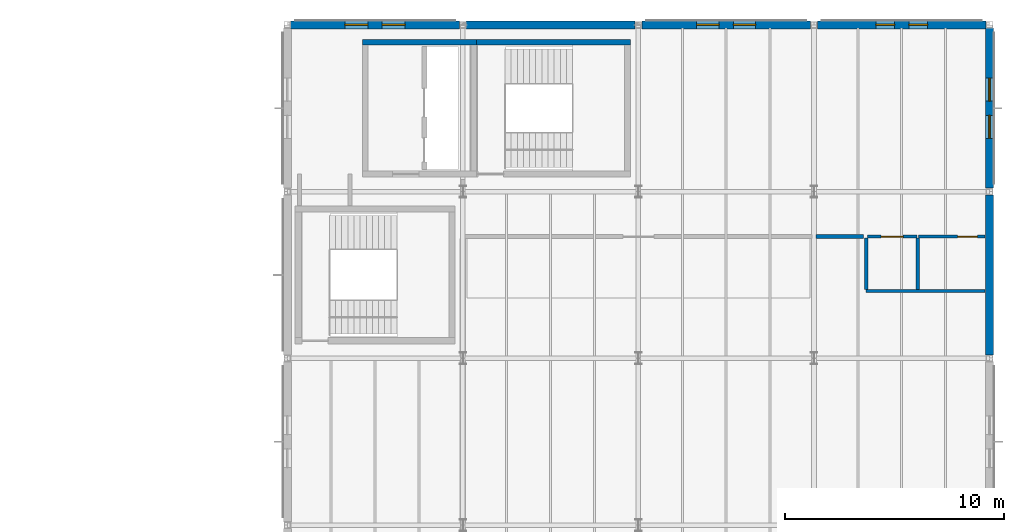
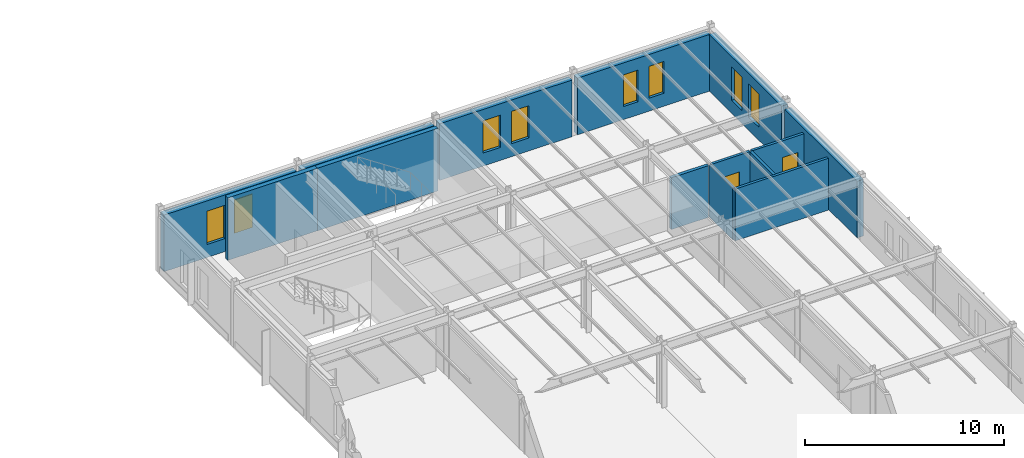
# One storey, part 144 of 165: 14 walls, 8 windows, 2 doors, 10 openings.
"""IFC4 building model written with IfcOpenShell, lengths in metres."""

from ifc_helpers import new_model, si_unit, direction, frame, frame_2d, origin, place, context, subcontext, project, spatial, rectangle, extrude, material, layer, layer_set, type_object, element, fill, save


model = new_model("IFC4")

# Units and contexts
model_context = context("Model", 3, precision=1e-05, world=origin(), true_north=direction((0.0, 1.0)))
body_context = subcontext(model_context, "Body", "Model", "MODEL_VIEW")
ifc_project = project(units=[si_unit("LENGTHUNIT", "METRE"), si_unit("AREAUNIT", "SQUARE_METRE"), si_unit("VOLUMEUNIT", "CUBIC_METRE"), si_unit("PLANEANGLEUNIT", "RADIAN"), si_unit("MASSUNIT", "GRAM", prefix="KILO")], contexts=[model_context])

# Site, building, storey
site_placement = place(None, origin())
site = spatial("IfcSite", under=ifc_project, at=site_placement, CompositionType="ELEMENT")
building_placement = place(site_placement, origin())
building = spatial("IfcBuilding", under=site, at=building_placement, Name="Montecoro Central Library", CompositionType="ELEMENT")
storey_placement = place(building_placement, frame((0.0, 0.0, 5.10009765625)))
storey = spatial("IfcBuildingStorey", under=building, at=storey_placement, Name="L01", CompositionType="ELEMENT", Elevation=5.10009765625)

# Wall
ifc_material_1 = material(Name="Roman travertine stone clad concrete C35/45", Category="masonry")
ifc_layer_1 = layer(ifc_material_1, 0.364990234375)
ifc_layer_set_1 = layer_set([ifc_layer_1], Name="Roman travertine stone clad concrete C35/45")
wall_type_1 = type_object("IfcWallType", Name="EW-STK-365", PredefinedType="SOLIDWALL", material=ifc_layer_set_1)
wall_1_placement = place(storey_placement, frame((173.0, 103.952880859375, 0.0), z_axis=(0.0, 0.0, 1.0), x_axis=(0.0, 1.0, 0.0)))
element("IfcWall", 1, at=wall_1_placement, inside=storey, type_object=wall_type_1, Name="V5-L01-EW-E4", PredefinedType="SOLIDWALL", context=body_context, shape_type="SweptSolid", body=[
    extrude(rectangle(XDim=7.294189453125, YDim=0.364990234375, at=frame_2d((3.64697265625, 0.0))), origin(), (0.0, 0.0, 1.0), 3.47998046875),
])

# Wall, openings, windows
wall_2_placement = place(storey_placement, frame((173.0, 111.552978515625, 0.0), z_axis=(0.0, 0.0, 1.0), x_axis=(0.0, 1.0, 0.0)))
wall_2 = element("IfcWall", 2, at=wall_2_placement, inside=storey, type_object=wall_type_1, Name="V5-L01-EW-E5", PredefinedType="SOLIDWALL", context=body_context, shape_type="SweptSolid", body=[
    extrude(rectangle(XDim=7.2939453125, YDim=0.364990234375, at=frame_2d((3.64697265625, 0.0))), origin(), (0.0, 0.0, 1.0), 3.47998046875),
])
opening_1_placement = place(wall_2_placement, frame((2.27197265625, 0.0, 0.800048828125)))
opening_1 = element("IfcOpeningElement", 3, at=opening_1_placement, cuts=wall_2, Name="Opening WN-03", PredefinedType="OPENING", context=body_context, shape_type="SweptSolid", body=[
    extrude(rectangle(XDim=1.050048828125, YDim=2.050048828125, at=frame_2d((0.52490234375, 1.02490234375))), frame((0.0, 0.1923828125, 0.0), z_axis=(0.0, -1.0, 0.0), x_axis=(1.0, 0.0, 0.0)), (0.0, 0.0, 1.0), 0.385009765625),
])
opening_2_placement = place(wall_2_placement, frame((3.971923828125, 0.0, 0.800048828125)))
opening_2 = element("IfcOpeningElement", 4, at=opening_2_placement, cuts=wall_2, Name="Opening WN-03", PredefinedType="OPENING", context=body_context, shape_type="SweptSolid", body=[
    extrude(rectangle(XDim=1.050048828125, YDim=2.050048828125, at=frame_2d((0.52490234375, 1.02490234375))), frame((0.0, 0.1923828125, 0.0), z_axis=(0.0, -1.0, 0.0), x_axis=(1.0, 0.0, 0.0)), (0.0, 0.0, 1.0), 0.385009765625),
])
ifc_material_2 = material(Name="UV-filtered triple glazing", Category="glass")
window_type_1 = type_object("IfcWindowType", Name="WN-STK-105", PartitioningType="SINGLE_PANEL", PredefinedType="WINDOW", material=ifc_material_2)
window_1_placement = place(opening_1_placement, origin())
window_1 = element("IfcWindow", 5, at=window_1_placement, inside=storey, type_object=window_type_1, Name="V5-L01-WN-E5-1", OverallHeight=2.050048828125, OverallWidth=1.050048828125, PartitioningType="SINGLE_PANEL", PredefinedType="WINDOW", context=body_context, shape_type="SweptSolid", body=[
    extrude(rectangle(XDim=1.050048828125, YDim=2.050048828125, at=frame_2d((0.52490234375, 1.02490234375))), frame((0.0, 0.030029296875, 0.0), z_axis=(0.0, -1.0, 0.0), x_axis=(1.0, 0.0, 0.0)), (0.0, 0.0, 1.0), 0.06005859375),
])
fill(opening_1, window_1)
window_2_placement = place(opening_2_placement, origin())
window_2 = element("IfcWindow", 6, at=window_2_placement, inside=storey, type_object=window_type_1, Name="V5-L01-WN-E5-2", OverallHeight=2.050048828125, OverallWidth=1.050048828125, PartitioningType="SINGLE_PANEL", PredefinedType="WINDOW", context=body_context, shape_type="SweptSolid", body=[
    extrude(rectangle(XDim=1.050048828125, YDim=2.050048828125, at=frame_2d((0.52490234375, 1.02490234375))), frame((0.0, 0.030029296875, 0.0), z_axis=(0.0, -1.0, 0.0), x_axis=(1.0, 0.0, 0.0)), (0.0, 0.0, 1.0), 0.06005859375),
])
fill(opening_2, window_2)

wall_3_placement = place(storey_placement, frame((172.846923828125, 119.0, 0.0), z_axis=(0.0, 0.0, 1.0), x_axis=(-1.0, 0.0, 0.0)))
wall_3 = element("IfcWall", 7, at=wall_3_placement, inside=storey, type_object=wall_type_1, Name="V5-L01-EW-N3", PredefinedType="SOLIDWALL", context=body_context, shape_type="SweptSolid", body=[
    extrude(rectangle(XDim=7.69384765625, YDim=0.364990234375, at=frame_2d((3.846923828125, 0.0))), origin(), (0.0, 0.0, 1.0), 3.47998046875),
])
opening_3_placement = place(wall_3_placement, frame((2.672119140625, 0.0, 0.800048828125)))
opening_3 = element("IfcOpeningElement", 8, at=opening_3_placement, cuts=wall_3, Name="Opening WN-01", PredefinedType="OPENING", context=body_context, shape_type="SweptSolid", body=[
    extrude(rectangle(XDim=0.85009765625, YDim=1.949951171875, at=frame_2d((0.425048828125, 0.97509765625))), frame((0.0, 0.1923828125, 0.0), z_axis=(0.0, -1.0, 0.0), x_axis=(1.0, 0.0, 0.0)), (0.0, 0.0, 1.0), 0.385009765625),
])
opening_4_placement = place(wall_3_placement, frame((4.172119140625, 0.0, 0.800048828125)))
opening_4 = element("IfcOpeningElement", 9, at=opening_4_placement, cuts=wall_3, Name="Opening WN-01", PredefinedType="OPENING", context=body_context, shape_type="SweptSolid", body=[
    extrude(rectangle(XDim=0.85009765625, YDim=1.949951171875, at=frame_2d((0.425048828125, 0.97509765625))), frame((0.0, 0.1923828125, 0.0), z_axis=(0.0, -1.0, 0.0), x_axis=(1.0, 0.0, 0.0)), (0.0, 0.0, 1.0), 0.385009765625),
])
window_type_2 = type_object("IfcWindowType", Name="WN-STK-085", PartitioningType="SINGLE_PANEL", PredefinedType="WINDOW", material=ifc_material_2)
window_3_placement = place(opening_3_placement, origin())
window_3 = element("IfcWindow", 10, at=window_3_placement, inside=storey, type_object=window_type_2, Name="V5-L01-WN-N3-1", OverallHeight=1.949951171875, OverallWidth=0.85009765625, PartitioningType="SINGLE_PANEL", PredefinedType="WINDOW", context=body_context, shape_type="SweptSolid", body=[
    extrude(rectangle(XDim=0.85009765625, YDim=1.949951171875, at=frame_2d((0.425048828125, 0.97509765625))), frame((0.0, 0.030029296875, 0.0), z_axis=(0.0, -1.0, 0.0), x_axis=(1.0, 0.0, 0.0)), (0.0, 0.0, 1.0), 0.06005859375),
])
fill(opening_3, window_3)
window_4_placement = place(opening_4_placement, origin())
window_4 = element("IfcWindow", 11, at=window_4_placement, inside=storey, type_object=window_type_2, Name="V5-L01-WN-N3-2", OverallHeight=1.949951171875, OverallWidth=0.85009765625, PartitioningType="SINGLE_PANEL", PredefinedType="WINDOW", context=body_context, shape_type="SweptSolid", body=[
    extrude(rectangle(XDim=0.85009765625, YDim=1.949951171875, at=frame_2d((0.425048828125, 0.97509765625))), frame((0.0, 0.030029296875, 0.0), z_axis=(0.0, -1.0, 0.0), x_axis=(1.0, 0.0, 0.0)), (0.0, 0.0, 1.0), 0.06005859375),
])
fill(opening_4, window_4)

wall_4_placement = place(storey_placement, frame((164.846923828125, 119.0, 0.0), z_axis=(0.0, 0.0, 1.0), x_axis=(-1.0, 0.0, 0.0)))
wall_4 = element("IfcWall", 12, at=wall_4_placement, inside=storey, type_object=wall_type_1, Name="V5-L01-EW-N2", PredefinedType="SOLIDWALL", context=body_context, shape_type="SweptSolid", body=[
    extrude(rectangle(XDim=7.69384765625, YDim=0.364990234375, at=frame_2d((3.846923828125, 0.0))), origin(), (0.0, 0.0, 1.0), 3.47998046875),
])
opening_5_placement = place(wall_4_placement, frame((2.501953125, 0.0, 0.800048828125)))
opening_5 = element("IfcOpeningElement", 13, at=opening_5_placement, cuts=wall_4, Name="Opening WN-30", PredefinedType="OPENING", context=body_context, shape_type="SweptSolid", body=[
    extrude(rectangle(XDim=1.02001953125, YDim=1.97998046875, at=frame_2d((0.510009765625, 0.989990234375))), frame((0.0, 0.1923828125, 0.0), z_axis=(0.0, -1.0, 0.0), x_axis=(1.0, 0.0, 0.0)), (0.0, 0.0, 1.0), 0.385009765625),
])
opening_6_placement = place(wall_4_placement, frame((4.172119140625, 0.0, 0.800048828125)))
opening_6 = element("IfcOpeningElement", 14, at=opening_6_placement, cuts=wall_4, Name="Opening WN-30", PredefinedType="OPENING", context=body_context, shape_type="SweptSolid", body=[
    extrude(rectangle(XDim=1.02001953125, YDim=1.97998046875, at=frame_2d((0.510009765625, 0.989990234375))), frame((0.0, 0.1923828125, 0.0), z_axis=(0.0, -1.0, 0.0), x_axis=(1.0, 0.0, 0.0)), (0.0, 0.0, 1.0), 0.385009765625),
])
window_type_3 = type_object("IfcWindowType", Name="WN-STK-102", PartitioningType="SINGLE_PANEL", PredefinedType="WINDOW", material=ifc_material_2)
window_5_placement = place(opening_5_placement, origin())
window_5 = element("IfcWindow", 15, at=window_5_placement, inside=storey, type_object=window_type_3, Name="V5-L01-WN-N2-1", OverallHeight=1.97998046875, OverallWidth=1.02001953125, PartitioningType="SINGLE_PANEL", PredefinedType="WINDOW", context=body_context, shape_type="SweptSolid", body=[
    extrude(rectangle(XDim=1.02001953125, YDim=1.97998046875, at=frame_2d((0.510009765625, 0.989990234375))), frame((0.0, 0.030029296875, 0.0), z_axis=(0.0, -1.0, 0.0), x_axis=(1.0, 0.0, 0.0)), (0.0, 0.0, 1.0), 0.06005859375),
])
fill(opening_5, window_5)
window_6_placement = place(opening_6_placement, origin())
window_6 = element("IfcWindow", 16, at=window_6_placement, inside=storey, type_object=window_type_3, Name="V5-L01-WN-N2-2", OverallHeight=1.97998046875, OverallWidth=1.02001953125, PartitioningType="SINGLE_PANEL", PredefinedType="WINDOW", context=body_context, shape_type="SweptSolid", body=[
    extrude(rectangle(XDim=1.02001953125, YDim=1.97998046875, at=frame_2d((0.510009765625, 0.989990234375))), frame((0.0, 0.030029296875, 0.0), z_axis=(0.0, -1.0, 0.0), x_axis=(1.0, 0.0, 0.0)), (0.0, 0.0, 1.0), 0.06005859375),
])
fill(opening_6, window_6)

# Wall
wall_5_placement = place(storey_placement, frame((156.846923828125, 119.0, 0.0), z_axis=(0.0, 0.0, 1.0), x_axis=(-1.0, 0.0, 0.0)))
element("IfcWall", 17, at=wall_5_placement, inside=storey, type_object=wall_type_1, Name="V5-L01-EW-N1", PredefinedType="SOLIDWALL", context=body_context, shape_type="SweptSolid", body=[
    extrude(rectangle(XDim=7.69384765625, YDim=0.364990234375, at=frame_2d((3.846923828125, 0.0))), origin(), (0.0, 0.0, 1.0), 3.47998046875),
])

# Wall, openings, windows
wall_6_placement = place(storey_placement, frame((148.846923828125, 119.0, 0.0), z_axis=(0.0, 0.0, 1.0), x_axis=(-1.0, 0.0, 0.0)))
wall_6 = element("IfcWall", 18, at=wall_6_placement, inside=storey, type_object=wall_type_1, Name="V5-L01-EW-N0", PredefinedType="SOLIDWALL", context=body_context, shape_type="SweptSolid", body=[
    extrude(rectangle(XDim=7.69384765625, YDim=0.364990234375, at=frame_2d((3.846923828125, 0.0))), origin(), (0.0, 0.0, 1.0), 3.47998046875),
])
opening_7_placement = place(wall_6_placement, frame((2.471923828125, 0.0, 0.800048828125)))
opening_7 = element("IfcOpeningElement", 19, at=opening_7_placement, cuts=wall_6, Name="Opening WN-03", PredefinedType="OPENING", context=body_context, shape_type="SweptSolid", body=[
    extrude(rectangle(XDim=1.050048828125, YDim=2.050048828125, at=frame_2d((0.52490234375, 1.02490234375))), frame((0.0, 0.1923828125, 0.0), z_axis=(0.0, -1.0, 0.0), x_axis=(1.0, 0.0, 0.0)), (0.0, 0.0, 1.0), 0.385009765625),
])
opening_8_placement = place(wall_6_placement, frame((4.172119140625, 0.0, 0.800048828125)))
opening_8 = element("IfcOpeningElement", 20, at=opening_8_placement, cuts=wall_6, Name="Opening WN-03", PredefinedType="OPENING", context=body_context, shape_type="SweptSolid", body=[
    extrude(rectangle(XDim=1.050048828125, YDim=2.050048828125, at=frame_2d((0.52490234375, 1.02490234375))), frame((0.0, 0.1923828125, 0.0), z_axis=(0.0, -1.0, 0.0), x_axis=(1.0, 0.0, 0.0)), (0.0, 0.0, 1.0), 0.385009765625),
])
window_7_placement = place(opening_7_placement, origin())
window_7 = element("IfcWindow", 21, at=window_7_placement, inside=storey, type_object=window_type_1, Name="V5-L01-WN-N0-1", OverallHeight=2.050048828125, OverallWidth=1.050048828125, PartitioningType="SINGLE_PANEL", PredefinedType="WINDOW", context=body_context, shape_type="SweptSolid", body=[
    extrude(rectangle(XDim=1.050048828125, YDim=2.050048828125, at=frame_2d((0.52490234375, 1.02490234375))), frame((0.0, 0.030029296875, 0.0), z_axis=(0.0, -1.0, 0.0), x_axis=(1.0, 0.0, 0.0)), (0.0, 0.0, 1.0), 0.06005859375),
])
fill(opening_7, window_7)
window_8_placement = place(opening_8_placement, origin())
window_8 = element("IfcWindow", 22, at=window_8_placement, inside=storey, type_object=window_type_1, Name="V5-L01-WN-N0-2", OverallHeight=2.050048828125, OverallWidth=1.050048828125, PartitioningType="SINGLE_PANEL", PredefinedType="WINDOW", context=body_context, shape_type="SweptSolid", body=[
    extrude(rectangle(XDim=1.050048828125, YDim=2.050048828125, at=frame_2d((0.52490234375, 1.02490234375))), frame((0.0, 0.030029296875, 0.0), z_axis=(0.0, -1.0, 0.0), x_axis=(1.0, 0.0, 0.0)), (0.0, 0.0, 1.0), 0.06005859375),
])
fill(opening_8, window_8)

# Walls
ifc_material_3 = material(Name="Gypsum fire-rated partition")
ifc_layer_2 = layer(ifc_material_3, 0.179931640625)
ifc_layer_set_2 = layer_set([ifc_layer_2], Name="Gypsum fire-rated partition")
wall_type_2 = type_object("IfcWallType", Name="IW-COR-180", PredefinedType="PARTITIONING", material=ifc_layer_set_2)
wall_7_placement = place(storey_placement, frame((165.090087890625, 109.35009765625, 0.0), z_axis=(0.0, 0.0, 1.0), x_axis=(1.0, 0.0, 0.0)))
element("IfcWall", 23, at=wall_7_placement, inside=storey, type_object=wall_type_2, Name="CORW-V5-L01-04", PredefinedType="PARTITIONING", context=body_context, shape_type="SweptSolid", body=[
    extrude(rectangle(XDim=2.169921875, YDim=0.179931640625, at=frame_2d((1.0849609375, 0.0))), origin(), (0.0, 0.0, 1.0), 3.179931640625),
])
ifc_material_4 = material(Name="Concrete C35/45", Category="concrete")
ifc_layer_3 = layer(ifc_material_4, 0.260009765625)
ifc_layer_set_3 = layer_set([ifc_layer_3], Name="Concrete C35/45")
wall_type_3 = type_object("IfcWallType", Name="IW-SHR-260", PredefinedType="SHEAR", material=ifc_layer_set_3)
wall_8_placement = place(storey_placement, frame((149.6298828125, 118.199951171875, 0.0), z_axis=(0.0, 0.0, 1.0), x_axis=(-1.0, 0.0, 0.0)))
element("IfcWall", 24, at=wall_8_placement, inside=storey, type_object=wall_type_3, Name="C6-L01-LWN", PredefinedType="SHEAR", context=body_context, shape_type="SweptSolid", body=[
    extrude(rectangle(XDim=5.2099609375, YDim=0.260009765625, at=frame_2d((2.60498046875, 0.0))), origin(), (0.0, 0.0, 1.0), 3.844970703125),
])
wall_9_placement = place(storey_placement, frame((149.3701171875, 118.199951171875, 0.0), z_axis=(0.0, 0.0, 1.0), x_axis=(1.0, 0.0, 0.0)))
element("IfcWall", 25, at=wall_9_placement, inside=storey, type_object=wall_type_3, Name="C6-L01-WN", PredefinedType="SHEAR", context=body_context, shape_type="SweptSolid", body=[
    extrude(rectangle(XDim=7.259765625, YDim=0.260009765625, at=frame_2d((3.6298828125, 0.0))), origin(), (0.0, 0.0, 1.0), 3.844970703125),
])
ifc_material_5 = material(Name="Moisture-resistant ceramic-tiled partition")
ifc_layer_4 = layer(ifc_material_5, 0.14990234375)
ifc_layer_set_4 = layer_set([ifc_layer_4], Name="Moisture-resistant ceramic-tiled partition")
wall_type_4 = type_object("IfcWallType", Name="IW-WET-150", PredefinedType="PARTITIONING", material=ifc_layer_set_4)
wall_10_placement = place(storey_placement, frame((167.3798828125, 106.8701171875, 0.0), z_axis=(0.0, 0.0, 1.0), x_axis=(1.0, 0.0, 0.0)))
element("IfcWall", 26, at=wall_10_placement, inside=storey, type_object=wall_type_4, Name="WC-V5-L01-WBK", PredefinedType="PARTITIONING", context=body_context, shape_type="SweptSolid", body=[
    extrude(rectangle(XDim=5.420166015625, YDim=0.14990234375, at=frame_2d((2.7099609375, 0.0))), origin(), (0.0, 0.0, 1.0), 3.179931640625),
])
for number, where, z_axis, x_axis, name in (
    (27, (167.3798828125, 106.929931640625, 0.0), (0.0, 0.0, 1.0), (0.0, 1.0, 0.0), "WC-V5-L01-WW"),
    (28, (169.72998046875, 106.929931640625, 0.0), (0.0, 0.0, 1.0), (0.0, 1.0, 0.0), "WC-V5-L01-WM"),
):
    element("IfcWall", number, at=place(storey_placement, frame(where, z_axis=z_axis, x_axis=x_axis)), inside=storey, type_object=wall_type_4, Name=name, PredefinedType="PARTITIONING", context=body_context, shape_type="SweptSolid", body=[
        extrude(rectangle(XDim=2.360107421875, YDim=0.14990234375, at=frame_2d((1.18017578125, 0.0))), origin(), (0.0, 0.0, 1.0), 3.179931640625),
    ])

# Wall, opening, door
wall_11_placement = place(storey_placement, frame((167.43994140625, 109.35009765625, 0.0), z_axis=(0.0, 0.0, 1.0), x_axis=(1.0, 0.0, 0.0)))
wall_11 = element("IfcWall", 29, at=wall_11_placement, inside=storey, type_object=wall_type_4, Name="WC-V5-L01-WFA", PredefinedType="PARTITIONING", context=body_context, shape_type="SweptSolid", body=[
    extrude(rectangle(XDim=2.25, YDim=0.14990234375, at=frame_2d((1.125, 0.0))), origin(), (0.0, 0.0, 1.0), 3.179931640625),
])
opening_9_placement = place(wall_11_placement, frame((0.625, 0.0, 0.0)))
opening_9 = element("IfcOpeningElement", 30, at=opening_9_placement, cuts=wall_11, Name="Opening ID-15", PredefinedType="OPENING", context=body_context, shape_type="SweptSolid", body=[
    extrude(rectangle(XDim=1.0, YDim=2.14990234375, at=frame_2d((0.5, 1.074951171875))), frame((0.0, 0.0849609375, 0.0), z_axis=(0.0, -1.0, 0.0), x_axis=(1.0, 0.0, 0.0)), (0.0, 0.0, 1.0), 0.169921875),
])
ifc_material_6 = material(Name="Solid oak and fire-rated steel door", Category="steel")
door_type_1 = type_object("IfcDoorType", Name="ID-AWC-100", OperationType="NOTDEFINED", PredefinedType="DOOR", material=ifc_material_6)
door_1_placement = place(opening_9_placement, origin())
door_1 = element("IfcDoor", 31, at=door_1_placement, inside=storey, type_object=door_type_1, Name="DR-SP-V5-L01-AWC", OperationType="SINGLE_SWING_RIGHT", OverallHeight=2.14990234375, OverallWidth=1.0, PredefinedType="DOOR", context=body_context, shape_type="SweptSolid", body=[
    extrude(rectangle(XDim=1.0, YDim=2.14990234375, at=frame_2d((0.5, 1.074951171875))), frame((0.0, 0.02490234375, 0.0), z_axis=(0.0, -1.0, 0.0), x_axis=(1.0, 0.0, 0.0)), (0.0, 0.0, 1.0), 0.050048828125),
])
fill(opening_9, door_1)

wall_12_placement = place(storey_placement, frame((169.77001953125, 109.35009765625, 0.0), z_axis=(0.0, 0.0, 1.0), x_axis=(1.0, 0.0, 0.0)))
wall_12 = element("IfcWall", 32, at=wall_12_placement, inside=storey, type_object=wall_type_4, Name="WC-V5-L01-WFP", PredefinedType="PARTITIONING", context=body_context, shape_type="SweptSolid", body=[
    extrude(rectangle(XDim=3.030029296875, YDim=0.14990234375, at=frame_2d((1.51513671875, 0.0))), origin(), (0.0, 0.0, 1.0), 3.179931640625),
])
opening_10_placement = place(wall_12_placement, frame((1.780029296875, 0.0, 0.0)))
opening_10 = element("IfcOpeningElement", 33, at=opening_10_placement, cuts=wall_12, Name="Opening ID-16", PredefinedType="OPENING", context=body_context, shape_type="SweptSolid", body=[
    extrude(rectangle(XDim=0.89990234375, YDim=2.14990234375, at=frame_2d((0.449951171875, 1.074951171875))), frame((0.0, 0.0849609375, 0.0), z_axis=(0.0, -1.0, 0.0), x_axis=(1.0, 0.0, 0.0)), (0.0, 0.0, 1.0), 0.169921875),
])
door_type_2 = type_object("IfcDoorType", Name="ID-WC-090", OperationType="NOTDEFINED", PredefinedType="DOOR", material=ifc_material_6)
door_2_placement = place(opening_10_placement, origin())
door_2 = element("IfcDoor", 34, at=door_2_placement, inside=storey, type_object=door_type_2, Name="DR-SP-V5-L01-PWC", OperationType="SINGLE_SWING_LEFT", OverallHeight=2.14990234375, OverallWidth=0.89990234375, PredefinedType="DOOR", context=body_context, shape_type="SweptSolid", body=[
    extrude(rectangle(XDim=0.89990234375, YDim=2.14990234375, at=frame_2d((0.449951171875, 1.074951171875))), frame((0.0, 0.02490234375, 0.0), z_axis=(0.0, -1.0, 0.0), x_axis=(1.0, 0.0, 0.0)), (0.0, 0.0, 1.0), 0.050048828125),
])
fill(opening_10, door_2)

save(model, "model.ifc")
